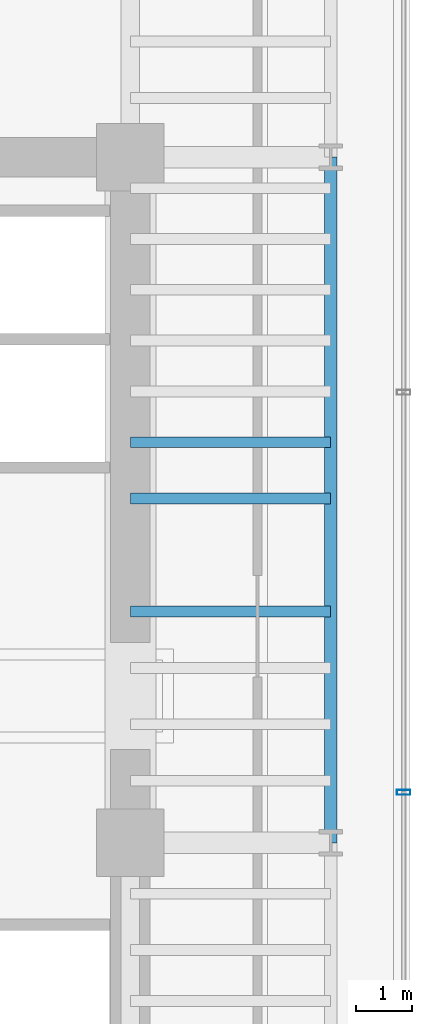
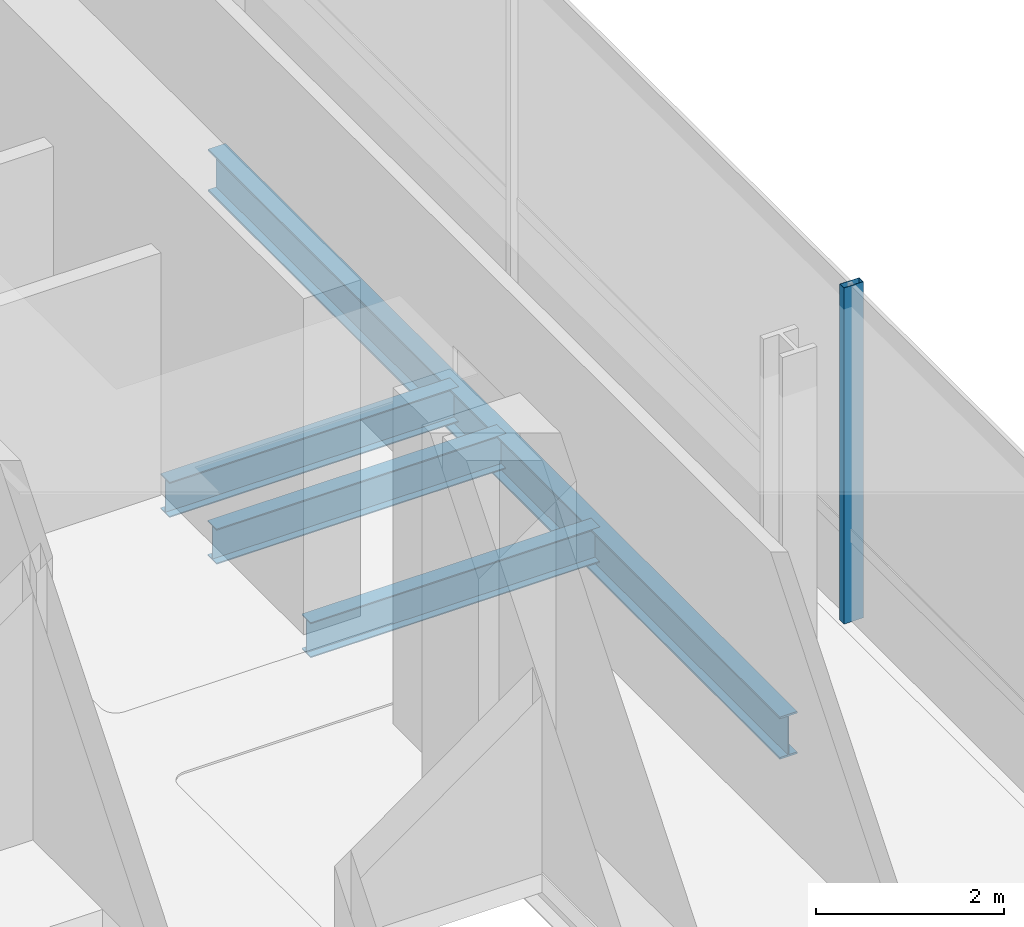
# One storey, part 15 of 32: 4 beams, 1 member, 1 element without a shape of its own.
"""IFC4 building model written with IfcOpenShell, lengths in metres."""

import ifcopenshell
import ifcopenshell.guid

model = None  # the IFC model being written
_history = None  # IfcOwnerHistory: only IFC2X3 demands one
_inside = {}  # id of a spatial element -> (the spatial element, [elements in it])
_under = {}  # id of a project, library or spatial element -> (it, [spatial elements below it])
_declared = {}  # id of a project -> (the project, [libraries it declares])
_typed = {}  # id of a type object -> (the type object, [elements of that type])
_made_of = {}  # id of a material, layer set ... -> (it, [elements and type objects made of it])


def new_model(schema):
    """Start an empty IFC model of exactly this schema.

    Asked for "IFC4X3", IfcOpenShell would pick the latest addendum, in which some entities
    have other attributes; the version numbers below select the first issue.
    IFC2X3 requires an IfcOwnerHistory on every rooted entity: one is made here for all.
    """
    global model, _history
    if schema == "IFC4X3":
        model = ifcopenshell.file(schema_version=(4, 3, 0, 0))
    else:
        model = ifcopenshell.file(schema=schema)
    _inside.clear()
    _under.clear()
    _declared.clear()
    _typed.clear()
    _made_of.clear()
    _history = None
    if model.schema == "IFC2X3":
        org = make("IfcOrganization", Name="unknown")
        user = make(
            "IfcPersonAndOrganization",
            ThePerson=make("IfcPerson", FamilyName="unknown"),
            TheOrganization=org,
        )
        app = make(
            "IfcApplication",
            ApplicationDeveloper=org,
            Version="unknown",
            ApplicationFullName="unknown",
            ApplicationIdentifier="unknown",
        )
        _history = make(
            "IfcOwnerHistory",
            OwningUser=user,
            OwningApplication=app,
            ChangeAction="ADDED",
            CreationDate=0,
        )
    return model


def make(cls, **values):
    """One entity of the class cls with the attributes given. An attribute that is None is left unset."""
    return model.create_entity(
        cls, **{name: value for name, value in values.items() if value is not None}
    )


def rooted(cls, **values):
    """An entity with a GlobalId (a new one), such as an element, a storey or a relation."""
    return make(cls, GlobalId=ifcopenshell.guid.new(), OwnerHistory=_history, **values)


def si_unit(unit_type, name, prefix=None):
    """IfcSIUnit, for example si_unit("LENGTHUNIT", "METRE", prefix="MILLI")."""
    return make("IfcSIUnit", UnitType=unit_type, Prefix=prefix, Name=name)


def assignment(units):
    """IfcUnitAssignment: the units of a project."""
    return None if units is None else make("IfcUnitAssignment", Units=units)


def point(xyz):
    """IfcCartesianPoint."""
    return None if xyz is None else make("IfcCartesianPoint", Coordinates=xyz)


def direction(xyz):
    """IfcDirection."""
    return None if xyz is None else make("IfcDirection", DirectionRatios=xyz)


def frame(location, z_axis=None, x_axis=None):
    """IfcAxis2Placement3D, a coordinate frame: its origin and axes. An axis left out is left unset."""
    return make(
        "IfcAxis2Placement3D",
        Location=point(location),
        Axis=direction(z_axis),
        RefDirection=direction(x_axis),
    )


def frame_2d(location, x_axis=None):
    """IfcAxis2Placement2D, a coordinate frame in the plane: its origin and x axis."""
    return make(
        "IfcAxis2Placement2D", Location=point(location), RefDirection=direction(x_axis)
    )


def origin():
    """The frame at (0, 0, 0) with its axes left unset."""
    return frame((0.0, 0.0, 0.0))


def origin_2d():
    """The frame at (0, 0) in the plane with its x axis left unset."""
    return frame_2d((0.0, 0.0))


def place(relative_to, where):
    """IfcLocalPlacement: puts the frame where relative to a parent placement (None: the world)."""
    return make(
        "IfcLocalPlacement", PlacementRelTo=relative_to, RelativePlacement=where
    )


def context(
    kind, dimensions, precision=None, world=None, true_north=None, identifier=None
):
    """IfcGeometricRepresentationContext, for example the 3D "Model" context."""
    return make(
        "IfcGeometricRepresentationContext",
        ContextIdentifier=identifier,
        ContextType=kind,
        CoordinateSpaceDimension=dimensions,
        Precision=precision,
        WorldCoordinateSystem=world,
        TrueNorth=true_north,
    )


def subcontext(parent, identifier, kind, view, scale=None):
    """IfcGeometricRepresentationSubContext, for example "Body" below "Model"."""
    return make(
        "IfcGeometricRepresentationSubContext",
        ContextIdentifier=identifier,
        ContextType=kind,
        ParentContext=parent,
        TargetScale=scale,
        TargetView=view,
    )


def project(units=None, contexts=None):
    """IfcProject with its units and contexts."""
    return rooted(
        "IfcProject",
        Name="project",
        RepresentationContexts=contexts,
        UnitsInContext=assignment(units),
    )


def spatial(cls, under=None, at=None, **own):
    """A site, building, storey or space (cls), placed at a placement, below another one or the project."""
    s = rooted(cls, ObjectPlacement=at, **own)
    if under is not None:
        _under.setdefault(under.id(), (under, []))[1].append(s)
    return s


def profile(cls, at=None, kind="AREA", **sizes):
    """A parametric profile (cls). Its sizes go by their IFC names, for example OverallWidth=200.0."""
    return make(cls, ProfileType=kind, Position=at, **sizes)


def hollow_rectangle(**sizes):
    """IfcRectangleHollowProfileDef."""
    return profile("IfcRectangleHollowProfileDef", **sizes)


def i_section(**sizes):
    """IfcIShapeProfileDef."""
    return profile("IfcIShapeProfileDef", **sizes)


def extrude(swept, where, along, depth):
    """IfcExtrudedAreaSolid: the profile swept, set in the frame where, extruded along a direction by depth."""
    return make(
        "IfcExtrudedAreaSolid",
        SweptArea=swept,
        Position=where,
        ExtrudedDirection=direction(along),
        Depth=depth,
    )


def shape(context_of_items, identifier, shape_type, items):
    """IfcShapeRepresentation: the items that make up one representation, for example the "Body"."""
    return make(
        "IfcShapeRepresentation",
        ContextOfItems=context_of_items,
        RepresentationIdentifier=identifier,
        RepresentationType=shape_type,
        Items=items,
    )


def source(mapping_origin, context_of_items, identifier, shape_type, items):
    """IfcRepresentationMap: a shape defined once, which mapped items show again and again."""
    return make(
        "IfcRepresentationMap",
        MappingOrigin=mapping_origin,
        MappedRepresentation=shape(context_of_items, identifier, shape_type, items),
    )


def transform(
    local_origin,
    x_axis=None,
    y_axis=None,
    z_axis=None,
    scale=None,
    scale2=None,
    scale3=None,
    uniform=True,
):
    """IfcCartesianTransformationOperator3D, or its non-uniform kind. x_axis, y_axis, z_axis: its Axis1, 2, 3."""
    if uniform:
        return make(
            "IfcCartesianTransformationOperator3D",
            Axis1=direction(x_axis),
            Axis2=direction(y_axis),
            LocalOrigin=point(local_origin),
            Scale=scale,
            Axis3=direction(z_axis),
        )
    return make(
        "IfcCartesianTransformationOperator3DnonUniform",
        Axis1=direction(x_axis),
        Axis2=direction(y_axis),
        LocalOrigin=point(local_origin),
        Scale=scale,
        Axis3=direction(z_axis),
        Scale2=scale2,
        Scale3=scale3,
    )


def mapped(mapping_source, mapping_target):
    """IfcMappedItem: shows the shape of a source again, moved by a transform."""
    return make(
        "IfcMappedItem", MappingSource=mapping_source, MappingTarget=mapping_target
    )


def material(Name=None, Category=None):
    """IfcMaterial."""
    return make("IfcMaterial", Name=Name, Category=Category)


def material_profile(
    of_material, cross_section, Name=None, Category=None, Priority=None
):
    """IfcMaterialProfile: a cross section and its material."""
    return make(
        "IfcMaterialProfile",
        Name=Name,
        Material=of_material,
        Profile=cross_section,
        Priority=Priority,
        Category=Category,
    )


def profile_set(profiles, Name=None, composite=None):
    """IfcMaterialProfileSet."""
    return make(
        "IfcMaterialProfileSet",
        Name=Name,
        MaterialProfiles=profiles,
        CompositeProfile=composite,
    )


def made_of(thing, what):
    """Note that an element or type object is made of a material, layer set ...; save() writes the relation."""
    if what is not None:
        _made_of.setdefault(what.id(), (what, []))[1].append(thing)
    return thing


def type_object(cls, material=None, **own):
    """A type object (cls), such as IfcWallType, which elements share."""
    return made_of(rooted(cls, **own), material)


def element(
    cls,
    number,
    at=None,
    inside=None,
    cuts=None,
    type_object=None,
    material=None,
    context=None,
    identifier="Body",
    shape_type=None,
    held_by="IfcProductDefinitionShape",
    body=None,
    shapes=None,
    **own,
):
    """One element of the class cls, such as IfcWall. Its Tag is "e" and its number.

    at: its placement. inside: the storey or other place that contains it. cuts: it is an
    opening in that element (IfcRelVoidsElement). A single representation is given by context,
    identifier, shape_type and body (its items); several are given by shapes. held_by: the class
    of the entity that holds the representations. save() writes the other relations.
    """
    e = rooted(cls, Tag="e%d" % number, ObjectPlacement=at, **own)
    if body is not None:
        shapes = [shape(context, identifier, shape_type, body)]
    if shapes is not None:
        e.Representation = make(held_by, Representations=shapes)
    if inside is not None:
        _inside.setdefault(inside.id(), (inside, []))[1].append(e)
    if cuts is not None:
        rooted(
            "IfcRelVoidsElement", RelatingBuildingElement=cuts, RelatedOpeningElement=e
        )
    if type_object is not None:
        _typed.setdefault(type_object.id(), (type_object, []))[1].append(e)
    return made_of(e, material)


def aggregate(whole, parts):
    """IfcRelAggregates: a whole, such as a stair, and the parts it consists of."""
    return rooted("IfcRelAggregates", RelatingObject=whole, RelatedObjects=parts)


def save(model, path):
    """Write the relations noted so far, then the file.

    IfcRelAggregates (storeys below a building ...), IfcRelContainedInSpatialStructure (elements
    in a storey), IfcRelDefinesByType, IfcRelAssociatesMaterial and IfcRelDeclares: one each for
    every whole, place, type object, material and project.
    """
    for whole, parts in _under.values():
        aggregate(whole, parts)
    for where, things in _inside.values():
        rooted(
            "IfcRelContainedInSpatialStructure",
            RelatedElements=things,
            RelatingStructure=where,
        )
    for kind, things in _typed.values():
        rooted("IfcRelDefinesByType", RelatedObjects=things, RelatingType=kind)
    for what, things in _made_of.values():
        rooted("IfcRelAssociatesMaterial", RelatedObjects=things, RelatingMaterial=what)
    for by, libraries in _declared.values():
        rooted("IfcRelDeclares", RelatingContext=by, RelatedDefinitions=libraries)
    model.write(path)


model = new_model("IFC4")

# Units and contexts
model_context = context("Model", 3, precision=1e-05, world=origin(), true_north=direction((0.0, 1.0)))
body_context = subcontext(model_context, "Body", "Model", "MODEL_VIEW")
ifc_project = project(units=[si_unit("LENGTHUNIT", "METRE"), si_unit("AREAUNIT", "SQUARE_METRE"), si_unit("VOLUMEUNIT", "CUBIC_METRE"), si_unit("PLANEANGLEUNIT", "RADIAN"), si_unit("MASSUNIT", "GRAM", prefix="KILO")], contexts=[model_context])

# Site, building, storey
site_placement = place(None, origin())
site = spatial("IfcSite", under=ifc_project, at=site_placement, CompositionType="ELEMENT")
building_placement = place(site_placement, origin())
building = spatial("IfcBuilding", under=site, at=building_placement, Name="Valdorenza Pilgrim Sanctuary Tower", CompositionType="ELEMENT")
storey_placement = place(building_placement, frame((0.0, 0.0, 101.10009765625)))
storey = spatial("IfcBuildingStorey", under=building, at=storey_placement, Name="L25", CompositionType="ELEMENT", Elevation=101.10009765625)

# Beams
ifc_material_1 = material(Name="Steel ASTM A992 Grade 50", Category="steel")
ifc_material_profile_1 = material_profile(ifc_material_1, i_section(OverallWidth=0.214111328125, OverallDepth=0.549072265625, WebThickness=0.0146484375, FlangeThickness=0.023681640625, at=origin_2d()), Name="W21X93")
ifc_profile_set_1 = profile_set([ifc_material_profile_1], Name="Steel ASTM A992 Grade 50")
beam_type_1 = type_object("IfcBeamType", Name="STR-BM-SPN-W21A", PredefinedType="SPANDREL", material=ifc_profile_set_1)
shared_shape_1 = source(origin(), body_context, "Body", "SweptSolid", [
    extrude(i_section(OverallWidth=0.214111328125, OverallDepth=0.549072265625, WebThickness=0.0146484375, FlangeThickness=0.023681640625, at=origin_2d()), origin(), (0.0, 0.0, 1.0), 12.150146484375),
])
beam_placement = place(storey_placement, frame((28.39990234375, -2.60009765625, -0.5146484375), z_axis=(0.0, 1.0, 0.0), x_axis=(-1.0, 0.0, 0.0)))
element("IfcBeam", 1, at=beam_placement, inside=storey, type_object=beam_type_1, Name="L25 Spandrel Beam WB-E-M0N1", PredefinedType="SPANDREL", context=body_context, shape_type="MappedRepresentation", body=[
    mapped(shared_shape_1, transform((0.0, 0.0, 0.0), x_axis=(1.0, 0.0, 0.0), y_axis=(0.0, 1.0, 0.0), z_axis=(0.0, 0.0, 1.0), scale=1.0)),
])
ifc_material_profile_2 = material_profile(ifc_material_1, i_section(OverallWidth=0.19091796875, OverallDepth=0.45703125, WebThickness=0.009033203125, FlangeThickness=0.014404296875, at=origin_2d()), Name="W18X50")
ifc_profile_set_2 = profile_set([ifc_material_profile_2], Name="Steel ASTM A992 Grade 50")
beam_type_2 = type_object("IfcBeamType", Name="STR-BM-JST-W18B", PredefinedType="JOIST", material=ifc_profile_set_2)
shared_shape_2 = source(origin(), body_context, "Body", "SweptSolid", [
    extrude(i_section(OverallWidth=0.19091796875, OverallDepth=0.45703125, WebThickness=0.009033203125, FlangeThickness=0.014404296875, at=origin_2d()), origin(), (0.0, 0.0, 1.0), 3.5498046875),
])
for number, where, z_axis, x_axis, name in (
    (2, (24.85009765625, 1.5, -0.468505859375), (1.0, 0.0, 0.0), (0.0, 1.0, 0.0), "L25 Composite Floor Joist JST-WB-11"),
    (3, (24.85009765625, 3.5, -0.468505859375), (1.0, 0.0, 0.0), (0.0, 1.0, 0.0), "L25 Composite Floor Joist JST-WB-12"),
    (4, (24.85009765625, 4.5, -0.468505859375), (1.0, 0.0, 0.0), (0.0, 1.0, 0.0), "L25 Composite Floor Joist JST-WB-13"),
):
    element("IfcBeam", number, at=place(storey_placement, frame(where, z_axis=z_axis, x_axis=x_axis)), inside=storey, type_object=beam_type_2, Name=name, PredefinedType="JOIST", context=body_context, shape_type="MappedRepresentation", body=[
        mapped(shared_shape_2, transform((0.0, 0.0, 0.0), x_axis=(1.0, 0.0, 0.0), y_axis=(0.0, 1.0, 0.0), z_axis=(0.0, 0.0, 1.0), scale=1.0)),
    ])

# Curtain wall, member
ifc_material_2 = material(Name="Curtain-wall IGU glazing", Category="glass")
curtain_wall_type = type_object("IfcCurtainWallType", Name="CW-SYS-04", PredefinedType="NOTDEFINED", material=ifc_material_2)
curtain_wall_placement = place(storey_placement, origin())
curtain_wall = element("IfcCurtainWall", 5, at=curtain_wall_placement, inside=storey, type_object=curtain_wall_type, Name="L25 Curtain Wall CW-L25-1-21", PredefinedType="NOTDEFINED")
ifc_material_3 = material(Name="Anodised aluminium AW-6060", Category="aluminium")
ifc_material_profile_3 = material_profile(ifc_material_3, hollow_rectangle(XDim=0.090087890625, YDim=0.239990234375, WallThickness=0.0048828125, at=origin_2d()), Name="ALU-M 240x90x5")
ifc_profile_set_3 = profile_set([ifc_material_profile_3], Name="Anodised aluminium AW-6060")
member_type = type_object("IfcMemberType", Name="CW-MUL-04", PredefinedType="MULLION", material=ifc_profile_set_3)
shared_shape_3 = source(origin(), body_context, "Body", "SweptSolid", [
    extrude(hollow_rectangle(XDim=0.090087890625, YDim=0.239990234375, WallThickness=0.0048828125, at=origin_2d()), origin(), (0.0, 0.0, 1.0), 4.35986328125),
])
member_placement = place(storey_placement, frame((29.68994140625, -1.7041015625, 0.0), z_axis=(0.0, 0.0, 1.0), x_axis=(0.0, -1.0, 0.0)))
member = element("IfcMember", 6, at=member_placement, type_object=member_type, Name="CW-L25-1-21 Mullion 3", PredefinedType="MULLION", context=body_context, shape_type="MappedRepresentation", body=[
    mapped(shared_shape_3, transform((0.0, 0.0, 0.0), x_axis=(1.0, 0.0, 0.0), y_axis=(0.0, 1.0, 0.0), z_axis=(0.0, 0.0, 1.0), scale=1.0)),
])
aggregate(curtain_wall, [member])

save(model, "model.ifc")
